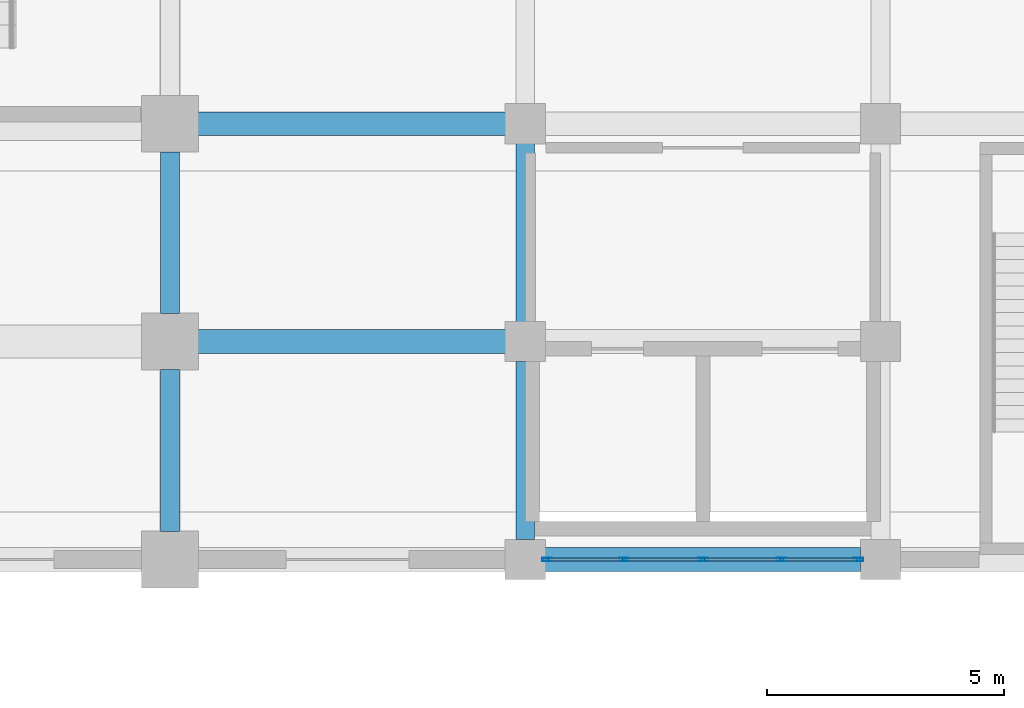
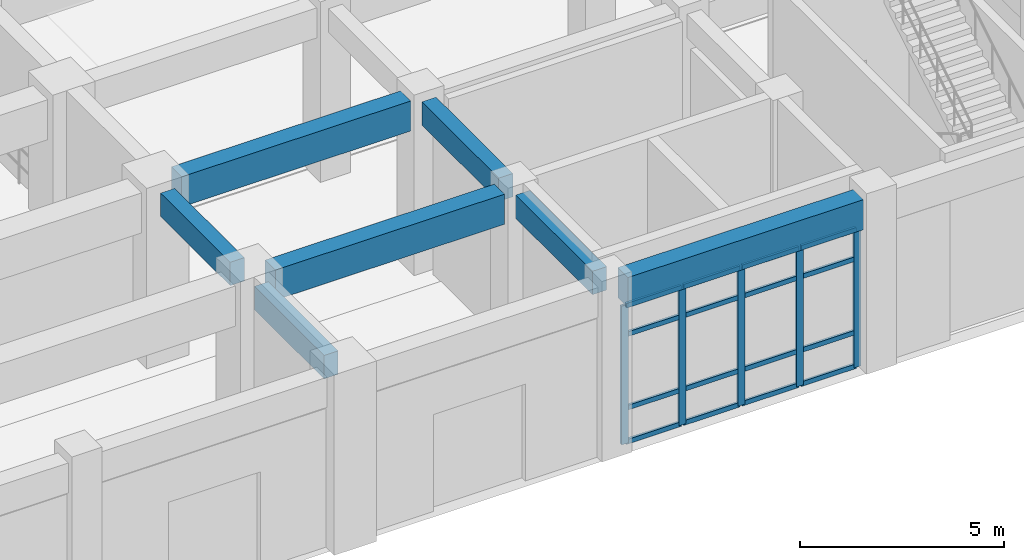
# One storey, part 28 of 84: 21 members, 7 beams, 1 element without a shape of its own.
"""IFC4 building model written with IfcOpenShell, lengths in metres."""

from ifc_helpers import new_model, si_unit, direction, frame, origin, origin_2d, place, context, subcontext, project, spatial, rectangle, hollow_rectangle, extrude, material, layer, layer_set, material_profile, profile_set, type_object, element, aggregate, save


model = new_model("IFC4")

# Units and contexts
model_context = context("Model", 3, precision=1e-05, world=origin(), true_north=direction((0.0, 1.0)))
body_context = subcontext(model_context, "Body", "Model", "MODEL_VIEW")
ifc_project = project(units=[si_unit("LENGTHUNIT", "METRE"), si_unit("AREAUNIT", "SQUARE_METRE"), si_unit("VOLUMEUNIT", "CUBIC_METRE"), si_unit("PLANEANGLEUNIT", "RADIAN"), si_unit("MASSUNIT", "GRAM", prefix="KILO")], contexts=[model_context])

# Site, building, storey
site_placement = place(None, origin())
site = spatial("IfcSite", under=ifc_project, at=site_placement, CompositionType="ELEMENT")
building_placement = place(site_placement, origin())
building = spatial("IfcBuilding", under=site, at=building_placement, Name="Muzn Square Opera House", CompositionType="ELEMENT")
storey_placement = place(building_placement, origin())
storey = spatial("IfcBuildingStorey", under=building, at=storey_placement, Name="L00", CompositionType="ELEMENT", Elevation=0.0)

# Curtain wall, members
ifc_material_1 = material(Name="Low-E laminated acoustic double glazing", Category="glass")
ifc_layer = layer(ifc_material_1, 0.159912109375, Name="Low-E laminated acoustic double glazing", Category="glass")
ifc_layer_set = layer_set([ifc_layer], Name="Low-E laminated acoustic double glazing")
curtain_wall_type = type_object("IfcCurtainWallType", Name="Glazed Curtain Wall Forecourt 6650x4150", PredefinedType="USERDEFINED", material=ifc_layer_set)
curtain_wall_placement = place(storey_placement, origin())
curtain_wall = element("IfcCurtainWall", 1, at=curtain_wall_placement, inside=storey, type_object=curtain_wall_type, Name="Glazed Curtain Wall CW-L00-002", ObjectType="GLAZED CURTAIN WALL", PredefinedType="USERDEFINED")
ifc_material_2 = material(Name="Anodised bronze aluminium 6063-T6", Category="metal")
ifc_material_profile_1 = material_profile(ifc_material_2, hollow_rectangle(XDim=0.070068359375, YDim=0.199951171875, WallThickness=0.0048828125, at=origin_2d()), Name="ALU 200x70x5", Category="metal")
ifc_profile_set_1 = profile_set([ifc_material_profile_1], Name="Anodised bronze aluminium 6063-T6")
member_type_1 = type_object("IfcMemberType", Name="Curtain Wall Mullion 200x70", PredefinedType="MULLION", material=ifc_profile_set_1)
member_1_placement = place(storey_placement, frame((110.9599609375, 22.0, 0.0), z_axis=(0.0, 0.0, 1.0), x_axis=(0.0, 1.0, 0.0)))
member_1 = element("IfcMember", 2, at=member_1_placement, type_object=member_type_1, Name="CW-FC-66x41 mullion 1", PredefinedType="MULLION", context=body_context, shape_type="SweptSolid", body=[
    extrude(hollow_rectangle(XDim=0.070068359375, YDim=0.199951171875, WallThickness=0.0048828125, at=origin_2d()), origin(), (0.0, 0.0, 1.0), 4.14990234375),
])
member_2_placement = place(storey_placement, frame((112.58740234375, 22.0, 0.0), z_axis=(0.0, 0.0, 1.0), x_axis=(0.0, 1.0, 0.0)))
member_2 = element("IfcMember", 3, at=member_2_placement, type_object=member_type_1, Name="CW-FC-66x41 mullion 2", PredefinedType="MULLION", context=body_context, shape_type="SweptSolid", body=[
    extrude(hollow_rectangle(XDim=0.070068359375, YDim=0.199951171875, WallThickness=0.0048828125, at=origin_2d()), origin(), (0.0, 0.0, 1.0), 4.14990234375),
])
member_3_placement = place(storey_placement, frame((114.25, 22.0, 0.0), z_axis=(0.0, 0.0, 1.0), x_axis=(0.0, 1.0, 0.0)))
member_3 = element("IfcMember", 4, at=member_3_placement, type_object=member_type_1, Name="CW-FC-66x41 mullion 3", PredefinedType="MULLION", context=body_context, shape_type="SweptSolid", body=[
    extrude(hollow_rectangle(XDim=0.070068359375, YDim=0.199951171875, WallThickness=0.0048828125, at=origin_2d()), origin(), (0.0, 0.0, 1.0), 4.14990234375),
])
member_4_placement = place(storey_placement, frame((115.91259765625, 22.0, 0.0), z_axis=(0.0, 0.0, 1.0), x_axis=(0.0, 1.0, 0.0)))
member_4 = element("IfcMember", 5, at=member_4_placement, type_object=member_type_1, Name="CW-FC-66x41 mullion 4", PredefinedType="MULLION", context=body_context, shape_type="SweptSolid", body=[
    extrude(hollow_rectangle(XDim=0.070068359375, YDim=0.199951171875, WallThickness=0.0048828125, at=origin_2d()), origin(), (0.0, 0.0, 1.0), 4.14990234375),
])
member_5_placement = place(storey_placement, frame((117.5400390625, 22.0, 0.0), z_axis=(0.0, 0.0, 1.0), x_axis=(0.0, 1.0, 0.0)))
member_5 = element("IfcMember", 6, at=member_5_placement, type_object=member_type_1, Name="CW-FC-66x41 mullion 5", PredefinedType="MULLION", context=body_context, shape_type="SweptSolid", body=[
    extrude(hollow_rectangle(XDim=0.070068359375, YDim=0.199951171875, WallThickness=0.0048828125, at=origin_2d()), origin(), (0.0, 0.0, 1.0), 4.14990234375),
])
ifc_material_profile_2 = material_profile(ifc_material_2, hollow_rectangle(XDim=0.070068359375, YDim=0.139892578125, WallThickness=0.00390625, at=origin_2d()), Name="ALU 140x70x4", Category="metal")
ifc_profile_set_2 = profile_set([ifc_material_profile_2], Name="Anodised bronze aluminium 6063-T6")
member_type_2 = type_object("IfcMemberType", Name="Curtain Wall Transom 140x70", PredefinedType="USERDEFINED", material=ifc_profile_set_2)
member_6_placement = place(storey_placement, frame((110.9951171875, 22.0, 0.034912109375), z_axis=(1.0, 0.0, 0.0), x_axis=(0.0, 1.0, 0.0)))
member_6 = element("IfcMember", 7, at=member_6_placement, type_object=member_type_2, Name="CW-FC-66x41 transom 1.1", ObjectType="TRANSOM", PredefinedType="USERDEFINED", context=body_context, shape_type="SweptSolid", body=[
    extrude(hollow_rectangle(XDim=0.070068359375, YDim=0.139892578125, WallThickness=0.00390625, at=origin_2d()), origin(), (0.0, 0.0, 1.0), 1.557373046875),
])
member_7_placement = place(storey_placement, frame((110.9951171875, 22.0, 1.050048828125), z_axis=(1.0, 0.0, 0.0), x_axis=(0.0, 1.0, 0.0)))
member_7 = element("IfcMember", 8, at=member_7_placement, type_object=member_type_2, Name="CW-FC-66x41 transom 1.2", ObjectType="TRANSOM", PredefinedType="USERDEFINED", context=body_context, shape_type="SweptSolid", body=[
    extrude(hollow_rectangle(XDim=0.070068359375, YDim=0.139892578125, WallThickness=0.00390625, at=origin_2d()), origin(), (0.0, 0.0, 1.0), 1.557373046875),
])
member_8_placement = place(storey_placement, frame((110.9951171875, 22.0, 3.25), z_axis=(1.0, 0.0, 0.0), x_axis=(0.0, 1.0, 0.0)))
member_8 = element("IfcMember", 9, at=member_8_placement, type_object=member_type_2, Name="CW-FC-66x41 transom 1.3", ObjectType="TRANSOM", PredefinedType="USERDEFINED", context=body_context, shape_type="SweptSolid", body=[
    extrude(hollow_rectangle(XDim=0.070068359375, YDim=0.139892578125, WallThickness=0.00390625, at=origin_2d()), origin(), (0.0, 0.0, 1.0), 1.557373046875),
])
member_9_placement = place(storey_placement, frame((110.9951171875, 22.0, 4.114990234375), z_axis=(1.0, 0.0, 0.0), x_axis=(0.0, 1.0, 0.0)))
member_9 = element("IfcMember", 10, at=member_9_placement, type_object=member_type_2, Name="CW-FC-66x41 transom 1.4", ObjectType="TRANSOM", PredefinedType="USERDEFINED", context=body_context, shape_type="SweptSolid", body=[
    extrude(hollow_rectangle(XDim=0.070068359375, YDim=0.139892578125, WallThickness=0.00390625, at=origin_2d()), origin(), (0.0, 0.0, 1.0), 1.557373046875),
])
member_10_placement = place(storey_placement, frame((112.62255859375, 22.0, 0.034912109375), z_axis=(1.0, 0.0, 0.0), x_axis=(0.0, 1.0, 0.0)))
member_10 = element("IfcMember", 11, at=member_10_placement, type_object=member_type_2, Name="CW-FC-66x41 transom 2.1", ObjectType="TRANSOM", PredefinedType="USERDEFINED", context=body_context, shape_type="SweptSolid", body=[
    extrude(hollow_rectangle(XDim=0.070068359375, YDim=0.139892578125, WallThickness=0.00390625, at=origin_2d()), origin(), (0.0, 0.0, 1.0), 1.592529296875),
])
member_11_placement = place(storey_placement, frame((112.62255859375, 22.0, 1.050048828125), z_axis=(1.0, 0.0, 0.0), x_axis=(0.0, 1.0, 0.0)))
member_11 = element("IfcMember", 12, at=member_11_placement, type_object=member_type_2, Name="CW-FC-66x41 transom 2.2", ObjectType="TRANSOM", PredefinedType="USERDEFINED", context=body_context, shape_type="SweptSolid", body=[
    extrude(hollow_rectangle(XDim=0.070068359375, YDim=0.139892578125, WallThickness=0.00390625, at=origin_2d()), origin(), (0.0, 0.0, 1.0), 1.592529296875),
])
member_12_placement = place(storey_placement, frame((112.62255859375, 22.0, 3.25), z_axis=(1.0, 0.0, 0.0), x_axis=(0.0, 1.0, 0.0)))
member_12 = element("IfcMember", 13, at=member_12_placement, type_object=member_type_2, Name="CW-FC-66x41 transom 2.3", ObjectType="TRANSOM", PredefinedType="USERDEFINED", context=body_context, shape_type="SweptSolid", body=[
    extrude(hollow_rectangle(XDim=0.070068359375, YDim=0.139892578125, WallThickness=0.00390625, at=origin_2d()), origin(), (0.0, 0.0, 1.0), 1.592529296875),
])
member_13_placement = place(storey_placement, frame((112.62255859375, 22.0, 4.114990234375), z_axis=(1.0, 0.0, 0.0), x_axis=(0.0, 1.0, 0.0)))
member_13 = element("IfcMember", 14, at=member_13_placement, type_object=member_type_2, Name="CW-FC-66x41 transom 2.4", ObjectType="TRANSOM", PredefinedType="USERDEFINED", context=body_context, shape_type="SweptSolid", body=[
    extrude(hollow_rectangle(XDim=0.070068359375, YDim=0.139892578125, WallThickness=0.00390625, at=origin_2d()), origin(), (0.0, 0.0, 1.0), 1.592529296875),
])
member_14_placement = place(storey_placement, frame((114.284912109375, 22.0, 0.034912109375), z_axis=(1.0, 0.0, 0.0), x_axis=(0.0, 1.0, 0.0)))
member_14 = element("IfcMember", 15, at=member_14_placement, type_object=member_type_2, Name="CW-FC-66x41 transom 3.1", ObjectType="TRANSOM", PredefinedType="USERDEFINED", context=body_context, shape_type="SweptSolid", body=[
    extrude(hollow_rectangle(XDim=0.070068359375, YDim=0.139892578125, WallThickness=0.00390625, at=origin_2d()), origin(), (0.0, 0.0, 1.0), 1.592529296875),
])
member_15_placement = place(storey_placement, frame((114.284912109375, 22.0, 1.050048828125), z_axis=(1.0, 0.0, 0.0), x_axis=(0.0, 1.0, 0.0)))
member_15 = element("IfcMember", 16, at=member_15_placement, type_object=member_type_2, Name="CW-FC-66x41 transom 3.2", ObjectType="TRANSOM", PredefinedType="USERDEFINED", context=body_context, shape_type="SweptSolid", body=[
    extrude(hollow_rectangle(XDim=0.070068359375, YDim=0.139892578125, WallThickness=0.00390625, at=origin_2d()), origin(), (0.0, 0.0, 1.0), 1.592529296875),
])
member_16_placement = place(storey_placement, frame((114.284912109375, 22.0, 3.25), z_axis=(1.0, 0.0, 0.0), x_axis=(0.0, 1.0, 0.0)))
member_16 = element("IfcMember", 17, at=member_16_placement, type_object=member_type_2, Name="CW-FC-66x41 transom 3.3", ObjectType="TRANSOM", PredefinedType="USERDEFINED", context=body_context, shape_type="SweptSolid", body=[
    extrude(hollow_rectangle(XDim=0.070068359375, YDim=0.139892578125, WallThickness=0.00390625, at=origin_2d()), origin(), (0.0, 0.0, 1.0), 1.592529296875),
])
member_17_placement = place(storey_placement, frame((114.284912109375, 22.0, 4.114990234375), z_axis=(1.0, 0.0, 0.0), x_axis=(0.0, 1.0, 0.0)))
member_17 = element("IfcMember", 18, at=member_17_placement, type_object=member_type_2, Name="CW-FC-66x41 transom 3.4", ObjectType="TRANSOM", PredefinedType="USERDEFINED", context=body_context, shape_type="SweptSolid", body=[
    extrude(hollow_rectangle(XDim=0.070068359375, YDim=0.139892578125, WallThickness=0.00390625, at=origin_2d()), origin(), (0.0, 0.0, 1.0), 1.592529296875),
])
member_18_placement = place(storey_placement, frame((115.947509765625, 22.0, 0.034912109375), z_axis=(1.0, 0.0, 0.0), x_axis=(0.0, 1.0, 0.0)))
member_18 = element("IfcMember", 19, at=member_18_placement, type_object=member_type_2, Name="CW-FC-66x41 transom 4.1", ObjectType="TRANSOM", PredefinedType="USERDEFINED", context=body_context, shape_type="SweptSolid", body=[
    extrude(hollow_rectangle(XDim=0.070068359375, YDim=0.139892578125, WallThickness=0.00390625, at=origin_2d()), origin(), (0.0, 0.0, 1.0), 1.557373046875),
])
member_19_placement = place(storey_placement, frame((115.947509765625, 22.0, 1.050048828125), z_axis=(1.0, 0.0, 0.0), x_axis=(0.0, 1.0, 0.0)))
member_19 = element("IfcMember", 20, at=member_19_placement, type_object=member_type_2, Name="CW-FC-66x41 transom 4.2", ObjectType="TRANSOM", PredefinedType="USERDEFINED", context=body_context, shape_type="SweptSolid", body=[
    extrude(hollow_rectangle(XDim=0.070068359375, YDim=0.139892578125, WallThickness=0.00390625, at=origin_2d()), origin(), (0.0, 0.0, 1.0), 1.557373046875),
])
member_20_placement = place(storey_placement, frame((115.947509765625, 22.0, 3.25), z_axis=(1.0, 0.0, 0.0), x_axis=(0.0, 1.0, 0.0)))
member_20 = element("IfcMember", 21, at=member_20_placement, type_object=member_type_2, Name="CW-FC-66x41 transom 4.3", ObjectType="TRANSOM", PredefinedType="USERDEFINED", context=body_context, shape_type="SweptSolid", body=[
    extrude(hollow_rectangle(XDim=0.070068359375, YDim=0.139892578125, WallThickness=0.00390625, at=origin_2d()), origin(), (0.0, 0.0, 1.0), 1.557373046875),
])
member_21_placement = place(storey_placement, frame((115.947509765625, 22.0, 4.114990234375), z_axis=(1.0, 0.0, 0.0), x_axis=(0.0, 1.0, 0.0)))
member_21 = element("IfcMember", 22, at=member_21_placement, type_object=member_type_2, Name="CW-FC-66x41 transom 4.4", ObjectType="TRANSOM", PredefinedType="USERDEFINED", context=body_context, shape_type="SweptSolid", body=[
    extrude(hollow_rectangle(XDim=0.070068359375, YDim=0.139892578125, WallThickness=0.00390625, at=origin_2d()), origin(), (0.0, 0.0, 1.0), 1.557373046875),
])
aggregate(curtain_wall, [member_1, member_2, member_3, member_4, member_5, member_6, member_7, member_8, member_9, member_10, member_11, member_12, member_13, member_14, member_15, member_16, member_17, member_18, member_19, member_20, member_21])

# Beams
ifc_material_3 = material(Name="Concrete C40/50", Category="concrete")
ifc_material_profile_3 = material_profile(ifc_material_3, rectangle(XDim=0.39990234375, YDim=0.699951171875, at=origin_2d()), Name="RCB 400x700", Category="concrete")
ifc_profile_set_3 = profile_set([ifc_material_profile_3], Name="Concrete C40/50")
beam_type_1 = type_object("IfcBeamType", Name="Primary Girder 400x700", PredefinedType="BEAM", material=ifc_profile_set_3)
for number, where, z_axis, x_axis, name in (
    (23, (103.0, 22.592041015625, 4.77001953125), (0.0, 1.0, 0.0), (-1.0, 0.0, 0.0), "Primary Girder BM-L00-BM-PG700-1030_226_1030_260-1069"),
    (24, (103.0, 27.19189453125, 4.77001953125), (0.0, 1.0, 0.0), (-1.0, 0.0, 0.0), "Primary Girder BM-L00-BM-PG700-1030_272_1030_306-1070"),
):
    element("IfcBeam", number, at=place(storey_placement, frame(where, z_axis=z_axis, x_axis=x_axis)), inside=storey, type_object=beam_type_1, Name=name, PredefinedType="BEAM", context=body_context, shape_type="SweptSolid", body=[
        extrude(rectangle(XDim=0.39990234375, YDim=0.699951171875, at=origin_2d()), origin(), (0.0, 0.0, 1.0), 3.416015625),
    ])
beam_1_placement = place(storey_placement, frame((110.5, 22.4169921875, 4.77001953125), z_axis=(0.0, 1.0, 0.0), x_axis=(-1.0, 0.0, 0.0)))
element("IfcBeam", 25, at=beam_1_placement, inside=storey, type_object=beam_type_1, Name="Primary Girder BM-L00-BM-PG700-1105_224_1105_262-1080", PredefinedType="BEAM", context=body_context, shape_type="SweptSolid", body=[
    extrude(rectangle(XDim=0.39990234375, YDim=0.699951171875, at=origin_2d()), origin(), (0.0, 0.0, 1.0), 3.76611328125),
])
beam_2_placement = place(storey_placement, frame((110.5, 27.01708984375, 4.77001953125), z_axis=(0.0, 1.0, 0.0), x_axis=(-1.0, 0.0, 0.0)))
element("IfcBeam", 26, at=beam_2_placement, inside=storey, type_object=beam_type_1, Name="Primary Girder BM-L00-BM-PG700-1105_270_1105_308-1081", PredefinedType="BEAM", context=body_context, shape_type="SweptSolid", body=[
    extrude(rectangle(XDim=0.39990234375, YDim=0.699951171875, at=origin_2d()), origin(), (0.0, 0.0, 1.0), 3.765869140625),
])
ifc_material_profile_4 = material_profile(ifc_material_3, rectangle(XDim=0.5, YDim=0.89990234375, at=origin_2d()), Name="RCB 500x900", Category="concrete")
ifc_profile_set_4 = profile_set([ifc_material_profile_4], Name="Concrete C40/50")
beam_type_2 = type_object("IfcBeamType", Name="Primary Girder 500x900", PredefinedType="BEAM", material=ifc_profile_set_4)
beam_3_placement = place(storey_placement, frame((110.9169921875, 22.0, 4.669921875), z_axis=(1.0, 0.0, 0.0), x_axis=(0.0, 1.0, 0.0)))
element("IfcBeam", 27, at=beam_3_placement, inside=storey, type_object=beam_type_2, Name="Primary Girder BM-L00-BM-PG900-1109_220_1176_220-768", PredefinedType="BEAM", context=body_context, shape_type="SweptSolid", body=[
    extrude(rectangle(XDim=0.5, YDim=0.89990234375, at=origin_2d()), origin(), (0.0, 0.0, 1.0), 6.666015625),
])
for number, where, z_axis, x_axis, name in (
    (28, (103.592041015625, 26.60009765625, 4.669921875), (1.0, 0.0, 0.0), (0.0, 1.0, 0.0), "Primary Girder BM-L00-BM-PG900-1036_266_1101_266-782"),
    (29, (103.592041015625, 31.199951171875, 4.669921875), (1.0, 0.0, 0.0), (0.0, 1.0, 0.0), "Primary Girder BM-L00-BM-PG900-1036_312_1101_312-799"),
):
    element("IfcBeam", number, at=place(storey_placement, frame(where, z_axis=z_axis, x_axis=x_axis)), inside=storey, type_object=beam_type_2, Name=name, PredefinedType="BEAM", context=body_context, shape_type="SweptSolid", body=[
        extrude(rectangle(XDim=0.5, YDim=0.89990234375, at=origin_2d()), origin(), (0.0, 0.0, 1.0), 6.490966796875),
    ])

save(model, "model.ifc")
